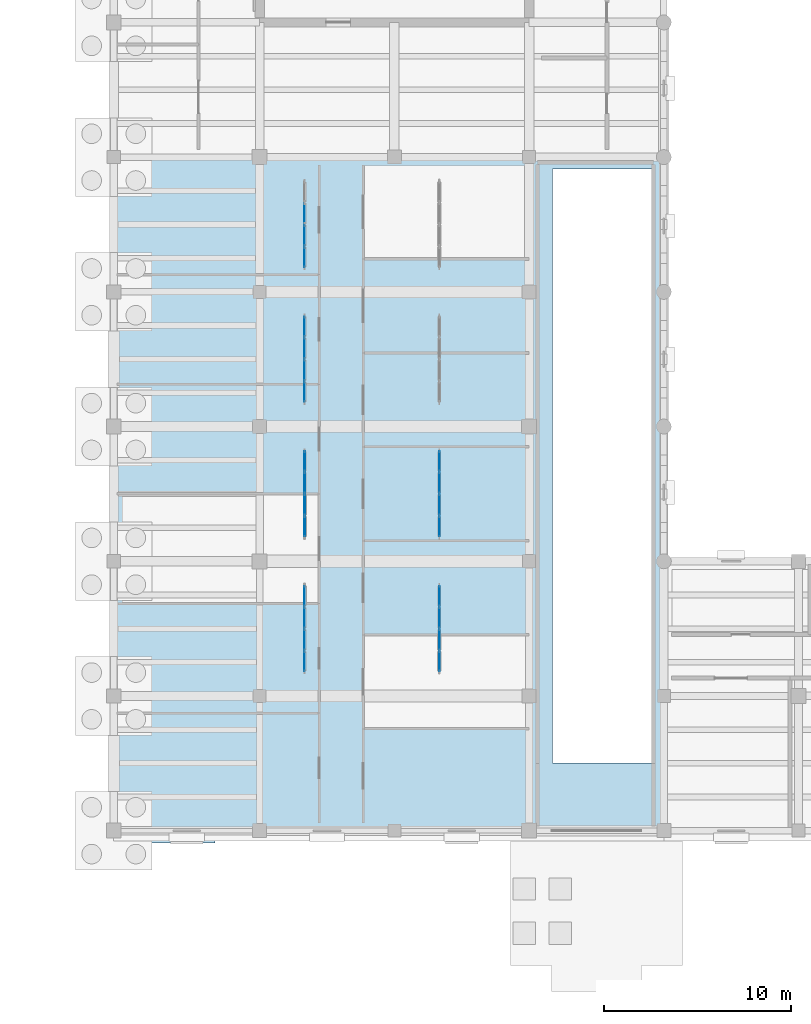
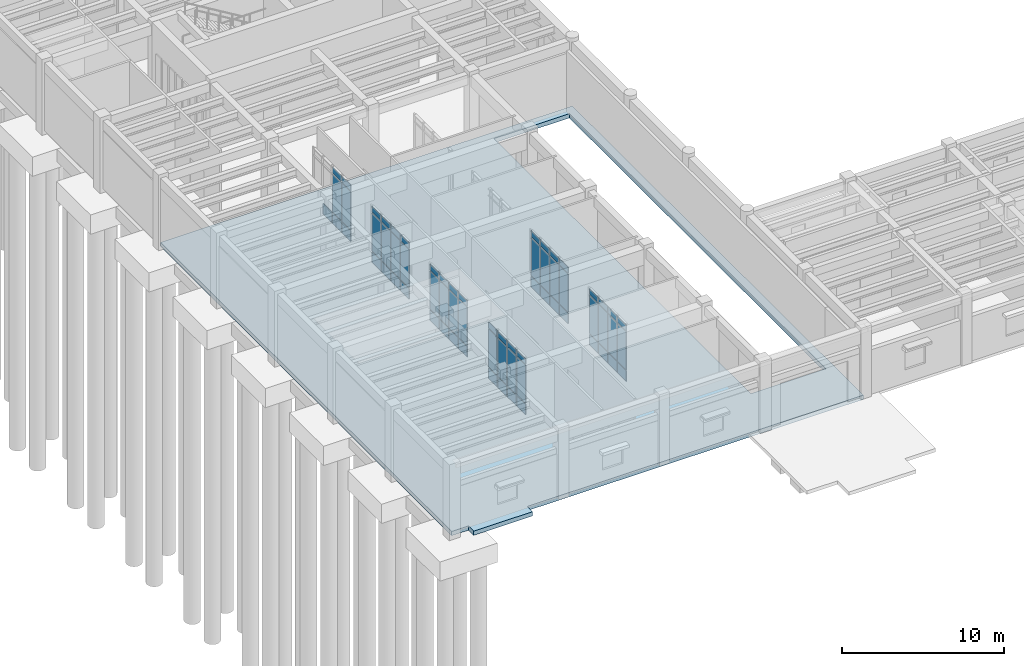
# One storey, part 50 of 100: 67 plates, 1 slab, 6 elements without a shape of their own.
"""IFC4 building model written with IfcOpenShell, lengths in metres."""

from ifc_helpers import new_model, si_unit, direction, frame, origin, origin_2d, place, context, subcontext, project, spatial, polyline, rectangle, outline, extrude, material, layer, layer_set, type_object, element, aggregate, save


model = new_model("IFC4")

# Units and contexts
model_context = context("Model", 3, precision=1e-05, world=origin(), true_north=direction((0.0, 1.0)))
body_context = subcontext(model_context, "Body", "Model", "MODEL_VIEW")
ifc_project = project(units=[si_unit("LENGTHUNIT", "METRE"), si_unit("AREAUNIT", "SQUARE_METRE"), si_unit("VOLUMEUNIT", "CUBIC_METRE"), si_unit("PLANEANGLEUNIT", "RADIAN"), si_unit("MASSUNIT", "GRAM", prefix="KILO")], contexts=[model_context])

# Site, building, storey
site_placement = place(None, origin())
site = spatial("IfcSite", under=ifc_project, at=site_placement, CompositionType="ELEMENT")
building_placement = place(site_placement, origin())
building = spatial("IfcBuilding", under=site, at=building_placement, Name="Mithqara Police Headquarters", CompositionType="ELEMENT")
storey_placement = place(building_placement, origin())
storey = spatial("IfcBuildingStorey", under=building, at=storey_placement, Name="L00", CompositionType="ELEMENT", Elevation=0.0)

# Curtain wall, plates
ifc_material_1 = material(Name="Bronze anodised aluminium 6063-T6", Category="aluminium")
curtain_wall_type = type_object("IfcCurtainWallType", Name="CURTAIN WALL 4700X4400", PredefinedType="USERDEFINED", material=ifc_material_1)
curtain_wall_1_placement = place(storey_placement, origin())
curtain_wall_1 = element("IfcCurtainWall", 1, at=curtain_wall_1_placement, inside=storey, type_object=curtain_wall_type, Name="L00 Unitised Glazing CW-14 (CW-INT-L00-X01-Y04-0)", ObjectType="UNITISED GLAZING", PredefinedType="USERDEFINED")
ifc_material_2 = material(Name="Spectrally selective double low-e glass", Category="glass")
ifc_layer_1 = layer(ifc_material_2, 0.028076171875, Name="Spectrally selective double low-e glass")
ifc_layer_set_1 = layer_set([ifc_layer_1], Name="Spectrally selective double low-e glass")
plate_type_1 = type_object("IfcPlateType", Name="CWPANEL GLASS28", PredefinedType="CURTAIN_PANEL", material=ifc_layer_set_1)
plate_1_placement = place(storey_placement, frame((10.199951171875, 30.05615234375, 0.074951171875), z_axis=(0.0, 0.0, 1.0), x_axis=(0.0, 1.0, 0.0)))
plate_1 = element("IfcPlate", 2, at=plate_1_placement, type_object=plate_type_1, Name="CW-14 panel 1.1", PredefinedType="CURTAIN_PANEL", context=body_context, shape_type="SweptSolid", body=[
    extrude(rectangle(XDim=1.0625, YDim=0.028076171875, at=origin_2d()), origin(), (0.0, 0.0, 1.0), 0.78759765625),
])
plate_2_placement = place(storey_placement, frame((10.199951171875, 30.05615234375, 0.9375), z_axis=(0.0, 0.0, 1.0), x_axis=(0.0, 1.0, 0.0)))
plate_2 = element("IfcPlate", 3, at=plate_2_placement, type_object=plate_type_1, Name="CW-14 panel 1.2", PredefinedType="CURTAIN_PANEL", context=body_context, shape_type="SweptSolid", body=[
    extrude(rectangle(XDim=1.0625, YDim=0.028076171875, at=origin_2d()), origin(), (0.0, 0.0, 1.0), 2.875),
])
plate_3_placement = place(storey_placement, frame((10.199951171875, 30.05615234375, 3.887451171875), z_axis=(0.0, 0.0, 1.0), x_axis=(0.0, 1.0, 0.0)))
plate_3 = element("IfcPlate", 4, at=plate_3_placement, type_object=plate_type_1, Name="CW-14 panel 1.3", PredefinedType="CURTAIN_PANEL", context=body_context, shape_type="SweptSolid", body=[
    extrude(rectangle(XDim=1.0625, YDim=0.028076171875, at=origin_2d()), origin(), (0.0, 0.0, 1.0), 0.4375),
])
plate_4_placement = place(storey_placement, frame((10.199951171875, 31.21240234375, 0.074951171875), z_axis=(0.0, 0.0, 1.0), x_axis=(0.0, 1.0, 0.0)))
plate_4 = element("IfcPlate", 5, at=plate_4_placement, type_object=plate_type_1, Name="CW-14 panel 2.1", PredefinedType="CURTAIN_PANEL", context=body_context, shape_type="SweptSolid", body=[
    extrude(rectangle(XDim=1.10009765625, YDim=0.028076171875, at=origin_2d()), origin(), (0.0, 0.0, 1.0), 0.78759765625),
])
plate_5_placement = place(storey_placement, frame((10.199951171875, 31.21240234375, 0.9375), z_axis=(0.0, 0.0, 1.0), x_axis=(0.0, 1.0, 0.0)))
plate_5 = element("IfcPlate", 6, at=plate_5_placement, type_object=plate_type_1, Name="CW-14 panel 2.2", PredefinedType="CURTAIN_PANEL", context=body_context, shape_type="SweptSolid", body=[
    extrude(rectangle(XDim=1.10009765625, YDim=0.028076171875, at=origin_2d()), origin(), (0.0, 0.0, 1.0), 2.875),
])
plate_6_placement = place(storey_placement, frame((10.199951171875, 31.21240234375, 3.887451171875), z_axis=(0.0, 0.0, 1.0), x_axis=(0.0, 1.0, 0.0)))
plate_6 = element("IfcPlate", 7, at=plate_6_placement, type_object=plate_type_1, Name="CW-14 panel 2.3", PredefinedType="CURTAIN_PANEL", context=body_context, shape_type="SweptSolid", body=[
    extrude(rectangle(XDim=1.10009765625, YDim=0.028076171875, at=origin_2d()), origin(), (0.0, 0.0, 1.0), 0.4375),
])
plate_7_placement = place(storey_placement, frame((10.199951171875, 32.387451171875, 0.074951171875), z_axis=(0.0, 0.0, 1.0), x_axis=(0.0, 1.0, 0.0)))
plate_7 = element("IfcPlate", 8, at=plate_7_placement, type_object=plate_type_1, Name="CW-14 panel 3.1", PredefinedType="CURTAIN_PANEL", context=body_context, shape_type="SweptSolid", body=[
    extrude(rectangle(XDim=1.10009765625, YDim=0.028076171875, at=origin_2d()), origin(), (0.0, 0.0, 1.0), 0.78759765625),
])
plate_8_placement = place(storey_placement, frame((10.199951171875, 32.387451171875, 0.9375), z_axis=(0.0, 0.0, 1.0), x_axis=(0.0, 1.0, 0.0)))
plate_8 = element("IfcPlate", 9, at=plate_8_placement, type_object=plate_type_1, Name="CW-14 panel 3.2", PredefinedType="CURTAIN_PANEL", context=body_context, shape_type="SweptSolid", body=[
    extrude(rectangle(XDim=1.10009765625, YDim=0.028076171875, at=origin_2d()), origin(), (0.0, 0.0, 1.0), 2.875),
])
plate_9_placement = place(storey_placement, frame((10.199951171875, 32.387451171875, 3.887451171875), z_axis=(0.0, 0.0, 1.0), x_axis=(0.0, 1.0, 0.0)))
plate_9 = element("IfcPlate", 10, at=plate_9_placement, type_object=plate_type_1, Name="CW-14 panel 3.3", PredefinedType="CURTAIN_PANEL", context=body_context, shape_type="SweptSolid", body=[
    extrude(rectangle(XDim=1.10009765625, YDim=0.028076171875, at=origin_2d()), origin(), (0.0, 0.0, 1.0), 0.4375),
])
plate_10_placement = place(storey_placement, frame((10.199951171875, 33.543701171875, 0.074951171875), z_axis=(0.0, 0.0, 1.0), x_axis=(0.0, 1.0, 0.0)))
plate_10 = element("IfcPlate", 11, at=plate_10_placement, type_object=plate_type_1, Name="CW-14 panel 4.1", PredefinedType="CURTAIN_PANEL", context=body_context, shape_type="SweptSolid", body=[
    extrude(rectangle(XDim=1.0625, YDim=0.028076171875, at=origin_2d()), origin(), (0.0, 0.0, 1.0), 0.78759765625),
])
plate_11_placement = place(storey_placement, frame((10.199951171875, 33.543701171875, 0.9375), z_axis=(0.0, 0.0, 1.0), x_axis=(0.0, 1.0, 0.0)))
plate_11 = element("IfcPlate", 12, at=plate_11_placement, type_object=plate_type_1, Name="CW-14 panel 4.2", PredefinedType="CURTAIN_PANEL", context=body_context, shape_type="SweptSolid", body=[
    extrude(rectangle(XDim=1.0625, YDim=0.028076171875, at=origin_2d()), origin(), (0.0, 0.0, 1.0), 2.875),
])
plate_12_placement = place(storey_placement, frame((10.199951171875, 33.543701171875, 3.887451171875), z_axis=(0.0, 0.0, 1.0), x_axis=(0.0, 1.0, 0.0)))
plate_12 = element("IfcPlate", 13, at=plate_12_placement, type_object=plate_type_1, Name="CW-14 panel 4.3", PredefinedType="CURTAIN_PANEL", context=body_context, shape_type="SweptSolid", body=[
    extrude(rectangle(XDim=1.0625, YDim=0.028076171875, at=origin_2d()), origin(), (0.0, 0.0, 1.0), 0.4375),
])
aggregate(curtain_wall_1, [plate_1, plate_2, plate_3, plate_4, plate_5, plate_6, plate_7, plate_8, plate_9, plate_10, plate_11, plate_12])

curtain_wall_2_placement = place(storey_placement, origin())
curtain_wall_2 = element("IfcCurtainWall", 14, at=curtain_wall_2_placement, inside=storey, type_object=curtain_wall_type, Name="L00 Unitised Glazing CW-14 (CW-INT-L00-X01-Y06-0)", ObjectType="UNITISED GLAZING", PredefinedType="USERDEFINED")
plate_13_placement = place(storey_placement, frame((10.199951171875, 44.456298828125, 0.074951171875), z_axis=(0.0, 0.0, 1.0), x_axis=(0.0, 1.0, 0.0)))
plate_13 = element("IfcPlate", 15, at=plate_13_placement, type_object=plate_type_1, Name="CW-14 panel 1.1", PredefinedType="CURTAIN_PANEL", context=body_context, shape_type="SweptSolid", body=[
    extrude(rectangle(XDim=1.0625, YDim=0.028076171875, at=origin_2d()), origin(), (0.0, 0.0, 1.0), 0.78759765625),
])
plate_14_placement = place(storey_placement, frame((10.199951171875, 44.456298828125, 0.9375), z_axis=(0.0, 0.0, 1.0), x_axis=(0.0, 1.0, 0.0)))
plate_14 = element("IfcPlate", 16, at=plate_14_placement, type_object=plate_type_1, Name="CW-14 panel 1.2", PredefinedType="CURTAIN_PANEL", context=body_context, shape_type="SweptSolid", body=[
    extrude(rectangle(XDim=1.0625, YDim=0.028076171875, at=origin_2d()), origin(), (0.0, 0.0, 1.0), 2.875),
])
plate_15_placement = place(storey_placement, frame((10.199951171875, 44.456298828125, 3.887451171875), z_axis=(0.0, 0.0, 1.0), x_axis=(0.0, 1.0, 0.0)))
plate_15 = element("IfcPlate", 17, at=plate_15_placement, type_object=plate_type_1, Name="CW-14 panel 1.3", PredefinedType="CURTAIN_PANEL", context=body_context, shape_type="SweptSolid", body=[
    extrude(rectangle(XDim=1.0625, YDim=0.028076171875, at=origin_2d()), origin(), (0.0, 0.0, 1.0), 0.4375),
])
plate_16_placement = place(storey_placement, frame((10.199951171875, 45.612548828125, 0.074951171875), z_axis=(0.0, 0.0, 1.0), x_axis=(0.0, 1.0, 0.0)))
plate_16 = element("IfcPlate", 18, at=plate_16_placement, type_object=plate_type_1, Name="CW-14 panel 2.1", PredefinedType="CURTAIN_PANEL", context=body_context, shape_type="SweptSolid", body=[
    extrude(rectangle(XDim=1.10009765625, YDim=0.028076171875, at=origin_2d()), origin(), (0.0, 0.0, 1.0), 0.78759765625),
])
plate_17_placement = place(storey_placement, frame((10.199951171875, 45.612548828125, 0.9375), z_axis=(0.0, 0.0, 1.0), x_axis=(0.0, 1.0, 0.0)))
plate_17 = element("IfcPlate", 19, at=plate_17_placement, type_object=plate_type_1, Name="CW-14 panel 2.2", PredefinedType="CURTAIN_PANEL", context=body_context, shape_type="SweptSolid", body=[
    extrude(rectangle(XDim=1.10009765625, YDim=0.028076171875, at=origin_2d()), origin(), (0.0, 0.0, 1.0), 2.875),
])
plate_18_placement = place(storey_placement, frame((10.199951171875, 45.612548828125, 3.887451171875), z_axis=(0.0, 0.0, 1.0), x_axis=(0.0, 1.0, 0.0)))
plate_18 = element("IfcPlate", 20, at=plate_18_placement, type_object=plate_type_1, Name="CW-14 panel 2.3", PredefinedType="CURTAIN_PANEL", context=body_context, shape_type="SweptSolid", body=[
    extrude(rectangle(XDim=1.10009765625, YDim=0.028076171875, at=origin_2d()), origin(), (0.0, 0.0, 1.0), 0.4375),
])
plate_19_placement = place(storey_placement, frame((10.199951171875, 46.78759765625, 0.074951171875), z_axis=(0.0, 0.0, 1.0), x_axis=(0.0, 1.0, 0.0)))
plate_19 = element("IfcPlate", 21, at=plate_19_placement, type_object=plate_type_1, Name="CW-14 panel 3.1", PredefinedType="CURTAIN_PANEL", context=body_context, shape_type="SweptSolid", body=[
    extrude(rectangle(XDim=1.10009765625, YDim=0.028076171875, at=origin_2d()), origin(), (0.0, 0.0, 1.0), 0.78759765625),
])
plate_20_placement = place(storey_placement, frame((10.199951171875, 46.78759765625, 0.9375), z_axis=(0.0, 0.0, 1.0), x_axis=(0.0, 1.0, 0.0)))
plate_20 = element("IfcPlate", 22, at=plate_20_placement, type_object=plate_type_1, Name="CW-14 panel 3.2", PredefinedType="CURTAIN_PANEL", context=body_context, shape_type="SweptSolid", body=[
    extrude(rectangle(XDim=1.10009765625, YDim=0.028076171875, at=origin_2d()), origin(), (0.0, 0.0, 1.0), 2.875),
])
plate_21_placement = place(storey_placement, frame((10.199951171875, 46.78759765625, 3.887451171875), z_axis=(0.0, 0.0, 1.0), x_axis=(0.0, 1.0, 0.0)))
plate_21 = element("IfcPlate", 23, at=plate_21_placement, type_object=plate_type_1, Name="CW-14 panel 3.3", PredefinedType="CURTAIN_PANEL", context=body_context, shape_type="SweptSolid", body=[
    extrude(rectangle(XDim=1.10009765625, YDim=0.028076171875, at=origin_2d()), origin(), (0.0, 0.0, 1.0), 0.4375),
])
plate_22_placement = place(storey_placement, frame((10.199951171875, 47.94384765625, 0.074951171875), z_axis=(0.0, 0.0, 1.0), x_axis=(0.0, 1.0, 0.0)))
plate_22 = element("IfcPlate", 24, at=plate_22_placement, type_object=plate_type_1, Name="CW-14 panel 4.1", PredefinedType="CURTAIN_PANEL", context=body_context, shape_type="SweptSolid", body=[
    extrude(rectangle(XDim=1.0625, YDim=0.028076171875, at=origin_2d()), origin(), (0.0, 0.0, 1.0), 0.78759765625),
])
plate_23_placement = place(storey_placement, frame((10.199951171875, 47.94384765625, 0.9375), z_axis=(0.0, 0.0, 1.0), x_axis=(0.0, 1.0, 0.0)))
plate_23 = element("IfcPlate", 25, at=plate_23_placement, type_object=plate_type_1, Name="CW-14 panel 4.2", PredefinedType="CURTAIN_PANEL", context=body_context, shape_type="SweptSolid", body=[
    extrude(rectangle(XDim=1.0625, YDim=0.028076171875, at=origin_2d()), origin(), (0.0, 0.0, 1.0), 2.875),
])
plate_24_placement = place(storey_placement, frame((10.199951171875, 47.94384765625, 3.887451171875), z_axis=(0.0, 0.0, 1.0), x_axis=(0.0, 1.0, 0.0)))
plate_24 = element("IfcPlate", 26, at=plate_24_placement, type_object=plate_type_1, Name="CW-14 panel 4.3", PredefinedType="CURTAIN_PANEL", context=body_context, shape_type="SweptSolid", body=[
    extrude(rectangle(XDim=1.0625, YDim=0.028076171875, at=origin_2d()), origin(), (0.0, 0.0, 1.0), 0.4375),
])
aggregate(curtain_wall_2, [plate_13, plate_14, plate_15, plate_16, plate_17, plate_18, plate_19, plate_20, plate_21, plate_22, plate_23, plate_24])

curtain_wall_3_placement = place(storey_placement, origin())
curtain_wall_3 = element("IfcCurtainWall", 27, at=curtain_wall_3_placement, inside=storey, type_object=curtain_wall_type, Name="L00 Unitised Glazing CW-14 (CW-INT-L00-X01-Y07-0)", ObjectType="UNITISED GLAZING", PredefinedType="USERDEFINED")
plate_25_placement = place(storey_placement, frame((10.199951171875, 51.65625, 0.074951171875), z_axis=(0.0, 0.0, 1.0), x_axis=(0.0, 1.0, 0.0)))
plate_25 = element("IfcPlate", 28, at=plate_25_placement, type_object=plate_type_1, Name="CW-14 panel 1.1", PredefinedType="CURTAIN_PANEL", context=body_context, shape_type="SweptSolid", body=[
    extrude(rectangle(XDim=1.0625, YDim=0.028076171875, at=origin_2d()), origin(), (0.0, 0.0, 1.0), 0.78759765625),
])
plate_26_placement = place(storey_placement, frame((10.199951171875, 51.65625, 0.9375), z_axis=(0.0, 0.0, 1.0), x_axis=(0.0, 1.0, 0.0)))
plate_26 = element("IfcPlate", 29, at=plate_26_placement, type_object=plate_type_1, Name="CW-14 panel 1.2", PredefinedType="CURTAIN_PANEL", context=body_context, shape_type="SweptSolid", body=[
    extrude(rectangle(XDim=1.0625, YDim=0.028076171875, at=origin_2d()), origin(), (0.0, 0.0, 1.0), 2.875),
])
plate_27_placement = place(storey_placement, frame((10.199951171875, 51.65625, 3.887451171875), z_axis=(0.0, 0.0, 1.0), x_axis=(0.0, 1.0, 0.0)))
plate_27 = element("IfcPlate", 30, at=plate_27_placement, type_object=plate_type_1, Name="CW-14 panel 1.3", PredefinedType="CURTAIN_PANEL", context=body_context, shape_type="SweptSolid", body=[
    extrude(rectangle(XDim=1.0625, YDim=0.028076171875, at=origin_2d()), origin(), (0.0, 0.0, 1.0), 0.4375),
])
plate_28_placement = place(storey_placement, frame((10.199951171875, 52.8125, 0.074951171875), z_axis=(0.0, 0.0, 1.0), x_axis=(0.0, 1.0, 0.0)))
plate_28 = element("IfcPlate", 31, at=plate_28_placement, type_object=plate_type_1, Name="CW-14 panel 2.1", PredefinedType="CURTAIN_PANEL", context=body_context, shape_type="SweptSolid", body=[
    extrude(rectangle(XDim=1.10009765625, YDim=0.028076171875, at=origin_2d()), origin(), (0.0, 0.0, 1.0), 0.78759765625),
])
plate_29_placement = place(storey_placement, frame((10.199951171875, 52.8125, 0.9375), z_axis=(0.0, 0.0, 1.0), x_axis=(0.0, 1.0, 0.0)))
plate_29 = element("IfcPlate", 32, at=plate_29_placement, type_object=plate_type_1, Name="CW-14 panel 2.2", PredefinedType="CURTAIN_PANEL", context=body_context, shape_type="SweptSolid", body=[
    extrude(rectangle(XDim=1.10009765625, YDim=0.028076171875, at=origin_2d()), origin(), (0.0, 0.0, 1.0), 2.875),
])
plate_30_placement = place(storey_placement, frame((10.199951171875, 52.8125, 3.887451171875), z_axis=(0.0, 0.0, 1.0), x_axis=(0.0, 1.0, 0.0)))
plate_30 = element("IfcPlate", 33, at=plate_30_placement, type_object=plate_type_1, Name="CW-14 panel 2.3", PredefinedType="CURTAIN_PANEL", context=body_context, shape_type="SweptSolid", body=[
    extrude(rectangle(XDim=1.10009765625, YDim=0.028076171875, at=origin_2d()), origin(), (0.0, 0.0, 1.0), 0.4375),
])
plate_31_placement = place(storey_placement, frame((10.199951171875, 53.987548828125, 0.074951171875), z_axis=(0.0, 0.0, 1.0), x_axis=(0.0, 1.0, 0.0)))
plate_31 = element("IfcPlate", 34, at=plate_31_placement, type_object=plate_type_1, Name="CW-14 panel 3.1", PredefinedType="CURTAIN_PANEL", context=body_context, shape_type="SweptSolid", body=[
    extrude(rectangle(XDim=1.10009765625, YDim=0.028076171875, at=origin_2d()), origin(), (0.0, 0.0, 1.0), 0.78759765625),
])
aggregate(curtain_wall_3, [plate_25, plate_26, plate_27, plate_28, plate_29, plate_30, plate_31])

curtain_wall_4_placement = place(storey_placement, origin())
curtain_wall_4 = element("IfcCurtainWall", 35, at=curtain_wall_4_placement, inside=storey, type_object=curtain_wall_type, Name="L00 Unitised Glazing CW-14 (CW-INT-L00-X02-Y04-0)", ObjectType="UNITISED GLAZING", PredefinedType="USERDEFINED")
plate_32_placement = place(storey_placement, frame((17.39990234375, 30.05615234375, 0.074951171875), z_axis=(0.0, 0.0, 1.0), x_axis=(0.0, 1.0, 0.0)))
plate_32 = element("IfcPlate", 36, at=plate_32_placement, type_object=plate_type_1, Name="CW-14 panel 1.1", PredefinedType="CURTAIN_PANEL", context=body_context, shape_type="SweptSolid", body=[
    extrude(rectangle(XDim=1.0625, YDim=0.028076171875, at=origin_2d()), origin(), (0.0, 0.0, 1.0), 0.78759765625),
])
plate_33_placement = place(storey_placement, frame((17.39990234375, 30.05615234375, 0.9375), z_axis=(0.0, 0.0, 1.0), x_axis=(0.0, 1.0, 0.0)))
plate_33 = element("IfcPlate", 37, at=plate_33_placement, type_object=plate_type_1, Name="CW-14 panel 1.2", PredefinedType="CURTAIN_PANEL", context=body_context, shape_type="SweptSolid", body=[
    extrude(rectangle(XDim=1.0625, YDim=0.028076171875, at=origin_2d()), origin(), (0.0, 0.0, 1.0), 2.875),
])
plate_34_placement = place(storey_placement, frame((17.39990234375, 30.05615234375, 3.887451171875), z_axis=(0.0, 0.0, 1.0), x_axis=(0.0, 1.0, 0.0)))
plate_34 = element("IfcPlate", 38, at=plate_34_placement, type_object=plate_type_1, Name="CW-14 panel 1.3", PredefinedType="CURTAIN_PANEL", context=body_context, shape_type="SweptSolid", body=[
    extrude(rectangle(XDim=1.0625, YDim=0.028076171875, at=origin_2d()), origin(), (0.0, 0.0, 1.0), 0.4375),
])
plate_35_placement = place(storey_placement, frame((17.39990234375, 31.21240234375, 0.074951171875), z_axis=(0.0, 0.0, 1.0), x_axis=(0.0, 1.0, 0.0)))
plate_35 = element("IfcPlate", 39, at=plate_35_placement, type_object=plate_type_1, Name="CW-14 panel 2.1", PredefinedType="CURTAIN_PANEL", context=body_context, shape_type="SweptSolid", body=[
    extrude(rectangle(XDim=1.10009765625, YDim=0.028076171875, at=origin_2d()), origin(), (0.0, 0.0, 1.0), 0.78759765625),
])
plate_36_placement = place(storey_placement, frame((17.39990234375, 31.21240234375, 0.9375), z_axis=(0.0, 0.0, 1.0), x_axis=(0.0, 1.0, 0.0)))
plate_36 = element("IfcPlate", 40, at=plate_36_placement, type_object=plate_type_1, Name="CW-14 panel 2.2", PredefinedType="CURTAIN_PANEL", context=body_context, shape_type="SweptSolid", body=[
    extrude(rectangle(XDim=1.10009765625, YDim=0.028076171875, at=origin_2d()), origin(), (0.0, 0.0, 1.0), 2.875),
])
plate_37_placement = place(storey_placement, frame((17.39990234375, 31.21240234375, 3.887451171875), z_axis=(0.0, 0.0, 1.0), x_axis=(0.0, 1.0, 0.0)))
plate_37 = element("IfcPlate", 41, at=plate_37_placement, type_object=plate_type_1, Name="CW-14 panel 2.3", PredefinedType="CURTAIN_PANEL", context=body_context, shape_type="SweptSolid", body=[
    extrude(rectangle(XDim=1.10009765625, YDim=0.028076171875, at=origin_2d()), origin(), (0.0, 0.0, 1.0), 0.4375),
])
plate_38_placement = place(storey_placement, frame((17.39990234375, 32.387451171875, 0.074951171875), z_axis=(0.0, 0.0, 1.0), x_axis=(0.0, 1.0, 0.0)))
plate_38 = element("IfcPlate", 42, at=plate_38_placement, type_object=plate_type_1, Name="CW-14 panel 3.1", PredefinedType="CURTAIN_PANEL", context=body_context, shape_type="SweptSolid", body=[
    extrude(rectangle(XDim=1.10009765625, YDim=0.028076171875, at=origin_2d()), origin(), (0.0, 0.0, 1.0), 0.78759765625),
])
plate_39_placement = place(storey_placement, frame((17.39990234375, 32.387451171875, 0.9375), z_axis=(0.0, 0.0, 1.0), x_axis=(0.0, 1.0, 0.0)))
plate_39 = element("IfcPlate", 43, at=plate_39_placement, type_object=plate_type_1, Name="CW-14 panel 3.2", PredefinedType="CURTAIN_PANEL", context=body_context, shape_type="SweptSolid", body=[
    extrude(rectangle(XDim=1.10009765625, YDim=0.028076171875, at=origin_2d()), origin(), (0.0, 0.0, 1.0), 2.875),
])
plate_40_placement = place(storey_placement, frame((17.39990234375, 32.387451171875, 3.887451171875), z_axis=(0.0, 0.0, 1.0), x_axis=(0.0, 1.0, 0.0)))
plate_40 = element("IfcPlate", 44, at=plate_40_placement, type_object=plate_type_1, Name="CW-14 panel 3.3", PredefinedType="CURTAIN_PANEL", context=body_context, shape_type="SweptSolid", body=[
    extrude(rectangle(XDim=1.10009765625, YDim=0.028076171875, at=origin_2d()), origin(), (0.0, 0.0, 1.0), 0.4375),
])
plate_41_placement = place(storey_placement, frame((17.39990234375, 33.543701171875, 0.074951171875), z_axis=(0.0, 0.0, 1.0), x_axis=(0.0, 1.0, 0.0)))
plate_41 = element("IfcPlate", 45, at=plate_41_placement, type_object=plate_type_1, Name="CW-14 panel 4.1", PredefinedType="CURTAIN_PANEL", context=body_context, shape_type="SweptSolid", body=[
    extrude(rectangle(XDim=1.0625, YDim=0.028076171875, at=origin_2d()), origin(), (0.0, 0.0, 1.0), 0.78759765625),
])
plate_42_placement = place(storey_placement, frame((17.39990234375, 33.543701171875, 0.9375), z_axis=(0.0, 0.0, 1.0), x_axis=(0.0, 1.0, 0.0)))
plate_42 = element("IfcPlate", 46, at=plate_42_placement, type_object=plate_type_1, Name="CW-14 panel 4.2", PredefinedType="CURTAIN_PANEL", context=body_context, shape_type="SweptSolid", body=[
    extrude(rectangle(XDim=1.0625, YDim=0.028076171875, at=origin_2d()), origin(), (0.0, 0.0, 1.0), 2.875),
])
plate_43_placement = place(storey_placement, frame((17.39990234375, 33.543701171875, 3.887451171875), z_axis=(0.0, 0.0, 1.0), x_axis=(0.0, 1.0, 0.0)))
plate_43 = element("IfcPlate", 47, at=plate_43_placement, type_object=plate_type_1, Name="CW-14 panel 4.3", PredefinedType="CURTAIN_PANEL", context=body_context, shape_type="SweptSolid", body=[
    extrude(rectangle(XDim=1.0625, YDim=0.028076171875, at=origin_2d()), origin(), (0.0, 0.0, 1.0), 0.4375),
])
aggregate(curtain_wall_4, [plate_32, plate_33, plate_34, plate_35, plate_36, plate_37, plate_38, plate_39, plate_40, plate_41, plate_42, plate_43])

curtain_wall_5_placement = place(storey_placement, origin())
curtain_wall_5 = element("IfcCurtainWall", 48, at=curtain_wall_5_placement, inside=storey, type_object=curtain_wall_type, Name="L00 Unitised Glazing CW-14 (CW-INT-L00-X02-Y05-0)", ObjectType="UNITISED GLAZING", PredefinedType="USERDEFINED")
plate_44_placement = place(storey_placement, frame((17.39990234375, 37.25634765625, 0.074951171875), z_axis=(0.0, 0.0, 1.0), x_axis=(0.0, 1.0, 0.0)))
plate_44 = element("IfcPlate", 49, at=plate_44_placement, type_object=plate_type_1, Name="CW-14 panel 1.1", PredefinedType="CURTAIN_PANEL", context=body_context, shape_type="SweptSolid", body=[
    extrude(rectangle(XDim=1.0625, YDim=0.028076171875, at=origin_2d()), origin(), (0.0, 0.0, 1.0), 0.78759765625),
])
plate_45_placement = place(storey_placement, frame((17.39990234375, 37.25634765625, 0.9375), z_axis=(0.0, 0.0, 1.0), x_axis=(0.0, 1.0, 0.0)))
plate_45 = element("IfcPlate", 50, at=plate_45_placement, type_object=plate_type_1, Name="CW-14 panel 1.2", PredefinedType="CURTAIN_PANEL", context=body_context, shape_type="SweptSolid", body=[
    extrude(rectangle(XDim=1.0625, YDim=0.028076171875, at=origin_2d()), origin(), (0.0, 0.0, 1.0), 2.875),
])
plate_46_placement = place(storey_placement, frame((17.39990234375, 37.25634765625, 3.887451171875), z_axis=(0.0, 0.0, 1.0), x_axis=(0.0, 1.0, 0.0)))
plate_46 = element("IfcPlate", 51, at=plate_46_placement, type_object=plate_type_1, Name="CW-14 panel 1.3", PredefinedType="CURTAIN_PANEL", context=body_context, shape_type="SweptSolid", body=[
    extrude(rectangle(XDim=1.0625, YDim=0.028076171875, at=origin_2d()), origin(), (0.0, 0.0, 1.0), 0.4375),
])
plate_47_placement = place(storey_placement, frame((17.39990234375, 38.41259765625, 0.074951171875), z_axis=(0.0, 0.0, 1.0), x_axis=(0.0, 1.0, 0.0)))
plate_47 = element("IfcPlate", 52, at=plate_47_placement, type_object=plate_type_1, Name="CW-14 panel 2.1", PredefinedType="CURTAIN_PANEL", context=body_context, shape_type="SweptSolid", body=[
    extrude(rectangle(XDim=1.10009765625, YDim=0.028076171875, at=origin_2d()), origin(), (0.0, 0.0, 1.0), 0.78759765625),
])
plate_48_placement = place(storey_placement, frame((17.39990234375, 38.41259765625, 0.9375), z_axis=(0.0, 0.0, 1.0), x_axis=(0.0, 1.0, 0.0)))
plate_48 = element("IfcPlate", 53, at=plate_48_placement, type_object=plate_type_1, Name="CW-14 panel 2.2", PredefinedType="CURTAIN_PANEL", context=body_context, shape_type="SweptSolid", body=[
    extrude(rectangle(XDim=1.10009765625, YDim=0.028076171875, at=origin_2d()), origin(), (0.0, 0.0, 1.0), 2.875),
])
plate_49_placement = place(storey_placement, frame((17.39990234375, 38.41259765625, 3.887451171875), z_axis=(0.0, 0.0, 1.0), x_axis=(0.0, 1.0, 0.0)))
plate_49 = element("IfcPlate", 54, at=plate_49_placement, type_object=plate_type_1, Name="CW-14 panel 2.3", PredefinedType="CURTAIN_PANEL", context=body_context, shape_type="SweptSolid", body=[
    extrude(rectangle(XDim=1.10009765625, YDim=0.028076171875, at=origin_2d()), origin(), (0.0, 0.0, 1.0), 0.4375),
])
plate_50_placement = place(storey_placement, frame((17.39990234375, 39.58740234375, 0.074951171875), z_axis=(0.0, 0.0, 1.0), x_axis=(0.0, 1.0, 0.0)))
plate_50 = element("IfcPlate", 55, at=plate_50_placement, type_object=plate_type_1, Name="CW-14 panel 3.1", PredefinedType="CURTAIN_PANEL", context=body_context, shape_type="SweptSolid", body=[
    extrude(rectangle(XDim=1.10009765625, YDim=0.028076171875, at=origin_2d()), origin(), (0.0, 0.0, 1.0), 0.78759765625),
])
plate_51_placement = place(storey_placement, frame((17.39990234375, 39.58740234375, 0.9375), z_axis=(0.0, 0.0, 1.0), x_axis=(0.0, 1.0, 0.0)))
plate_51 = element("IfcPlate", 56, at=plate_51_placement, type_object=plate_type_1, Name="CW-14 panel 3.2", PredefinedType="CURTAIN_PANEL", context=body_context, shape_type="SweptSolid", body=[
    extrude(rectangle(XDim=1.10009765625, YDim=0.028076171875, at=origin_2d()), origin(), (0.0, 0.0, 1.0), 2.875),
])
plate_52_placement = place(storey_placement, frame((17.39990234375, 39.58740234375, 3.887451171875), z_axis=(0.0, 0.0, 1.0), x_axis=(0.0, 1.0, 0.0)))
plate_52 = element("IfcPlate", 57, at=plate_52_placement, type_object=plate_type_1, Name="CW-14 panel 3.3", PredefinedType="CURTAIN_PANEL", context=body_context, shape_type="SweptSolid", body=[
    extrude(rectangle(XDim=1.10009765625, YDim=0.028076171875, at=origin_2d()), origin(), (0.0, 0.0, 1.0), 0.4375),
])
plate_53_placement = place(storey_placement, frame((17.39990234375, 40.74365234375, 0.074951171875), z_axis=(0.0, 0.0, 1.0), x_axis=(0.0, 1.0, 0.0)))
plate_53 = element("IfcPlate", 58, at=plate_53_placement, type_object=plate_type_1, Name="CW-14 panel 4.1", PredefinedType="CURTAIN_PANEL", context=body_context, shape_type="SweptSolid", body=[
    extrude(rectangle(XDim=1.0625, YDim=0.028076171875, at=origin_2d()), origin(), (0.0, 0.0, 1.0), 0.78759765625),
])
plate_54_placement = place(storey_placement, frame((17.39990234375, 40.74365234375, 0.9375), z_axis=(0.0, 0.0, 1.0), x_axis=(0.0, 1.0, 0.0)))
plate_54 = element("IfcPlate", 59, at=plate_54_placement, type_object=plate_type_1, Name="CW-14 panel 4.2", PredefinedType="CURTAIN_PANEL", context=body_context, shape_type="SweptSolid", body=[
    extrude(rectangle(XDim=1.0625, YDim=0.028076171875, at=origin_2d()), origin(), (0.0, 0.0, 1.0), 2.875),
])
plate_55_placement = place(storey_placement, frame((17.39990234375, 40.74365234375, 3.887451171875), z_axis=(0.0, 0.0, 1.0), x_axis=(0.0, 1.0, 0.0)))
plate_55 = element("IfcPlate", 60, at=plate_55_placement, type_object=plate_type_1, Name="CW-14 panel 4.3", PredefinedType="CURTAIN_PANEL", context=body_context, shape_type="SweptSolid", body=[
    extrude(rectangle(XDim=1.0625, YDim=0.028076171875, at=origin_2d()), origin(), (0.0, 0.0, 1.0), 0.4375),
])
aggregate(curtain_wall_5, [plate_44, plate_45, plate_46, plate_47, plate_48, plate_49, plate_50, plate_51, plate_52, plate_53, plate_54, plate_55])

curtain_wall_6_placement = place(storey_placement, origin())
curtain_wall_6 = element("IfcCurtainWall", 61, at=curtain_wall_6_placement, inside=storey, type_object=curtain_wall_type, Name="L00 Unitised Glazing CW-14 (CW-INT-L00-X01-Y05-0)", ObjectType="UNITISED GLAZING", PredefinedType="USERDEFINED")
ifc_material_3 = material(Name="Insulated bronze aluminium spandrel panel", Category="aluminium")
ifc_layer_2 = layer(ifc_material_3, 0.048095703125, Name="Insulated bronze aluminium spandrel panel")
ifc_layer_set_2 = layer_set([ifc_layer_2], Name="Insulated bronze aluminium spandrel panel")
plate_type_2 = type_object("IfcPlateType", Name="CWPANEL SPANDREL48", PredefinedType="CURTAIN_PANEL", material=ifc_layer_set_2)
plate_56_placement = place(storey_placement, frame((10.199951171875, 37.25634765625, 0.074951171875), z_axis=(0.0, 0.0, 1.0), x_axis=(0.0, 1.0, 0.0)))
plate_56 = element("IfcPlate", 62, at=plate_56_placement, type_object=plate_type_2, Name="CW-14 panel 1.1", PredefinedType="CURTAIN_PANEL", context=body_context, shape_type="SweptSolid", body=[
    extrude(rectangle(XDim=1.0625, YDim=0.048095703125, at=origin_2d()), origin(), (0.0, 0.0, 1.0), 0.78759765625),
])
plate_57_placement = place(storey_placement, frame((10.199951171875, 37.25634765625, 0.9375), z_axis=(0.0, 0.0, 1.0), x_axis=(0.0, 1.0, 0.0)))
plate_57 = element("IfcPlate", 63, at=plate_57_placement, type_object=plate_type_2, Name="CW-14 panel 1.2", PredefinedType="CURTAIN_PANEL", context=body_context, shape_type="SweptSolid", body=[
    extrude(rectangle(XDim=1.0625, YDim=0.048095703125, at=origin_2d()), origin(), (0.0, 0.0, 1.0), 2.875),
])
plate_58_placement = place(storey_placement, frame((10.199951171875, 37.25634765625, 3.887451171875), z_axis=(0.0, 0.0, 1.0), x_axis=(0.0, 1.0, 0.0)))
plate_58 = element("IfcPlate", 64, at=plate_58_placement, type_object=plate_type_2, Name="CW-14 panel 1.3", PredefinedType="CURTAIN_PANEL", context=body_context, shape_type="SweptSolid", body=[
    extrude(rectangle(XDim=1.0625, YDim=0.048095703125, at=origin_2d()), origin(), (0.0, 0.0, 1.0), 0.4375),
])
plate_59_placement = place(storey_placement, frame((10.199951171875, 38.41259765625, 0.074951171875), z_axis=(0.0, 0.0, 1.0), x_axis=(0.0, 1.0, 0.0)))
plate_59 = element("IfcPlate", 65, at=plate_59_placement, type_object=plate_type_2, Name="CW-14 panel 2.1", PredefinedType="CURTAIN_PANEL", context=body_context, shape_type="SweptSolid", body=[
    extrude(rectangle(XDim=1.10009765625, YDim=0.048095703125, at=origin_2d()), origin(), (0.0, 0.0, 1.0), 0.78759765625),
])
plate_60_placement = place(storey_placement, frame((10.199951171875, 38.41259765625, 0.9375), z_axis=(0.0, 0.0, 1.0), x_axis=(0.0, 1.0, 0.0)))
plate_60 = element("IfcPlate", 66, at=plate_60_placement, type_object=plate_type_2, Name="CW-14 panel 2.2", PredefinedType="CURTAIN_PANEL", context=body_context, shape_type="SweptSolid", body=[
    extrude(rectangle(XDim=1.10009765625, YDim=0.048095703125, at=origin_2d()), origin(), (0.0, 0.0, 1.0), 2.875),
])
plate_61_placement = place(storey_placement, frame((10.199951171875, 38.41259765625, 3.887451171875), z_axis=(0.0, 0.0, 1.0), x_axis=(0.0, 1.0, 0.0)))
plate_61 = element("IfcPlate", 67, at=plate_61_placement, type_object=plate_type_2, Name="CW-14 panel 2.3", PredefinedType="CURTAIN_PANEL", context=body_context, shape_type="SweptSolid", body=[
    extrude(rectangle(XDim=1.10009765625, YDim=0.048095703125, at=origin_2d()), origin(), (0.0, 0.0, 1.0), 0.4375),
])
plate_62_placement = place(storey_placement, frame((10.199951171875, 39.58740234375, 0.074951171875), z_axis=(0.0, 0.0, 1.0), x_axis=(0.0, 1.0, 0.0)))
plate_62 = element("IfcPlate", 68, at=plate_62_placement, type_object=plate_type_2, Name="CW-14 panel 3.1", PredefinedType="CURTAIN_PANEL", context=body_context, shape_type="SweptSolid", body=[
    extrude(rectangle(XDim=1.10009765625, YDim=0.048095703125, at=origin_2d()), origin(), (0.0, 0.0, 1.0), 0.78759765625),
])
plate_63_placement = place(storey_placement, frame((10.199951171875, 39.58740234375, 0.9375), z_axis=(0.0, 0.0, 1.0), x_axis=(0.0, 1.0, 0.0)))
plate_63 = element("IfcPlate", 69, at=plate_63_placement, type_object=plate_type_2, Name="CW-14 panel 3.2", PredefinedType="CURTAIN_PANEL", context=body_context, shape_type="SweptSolid", body=[
    extrude(rectangle(XDim=1.10009765625, YDim=0.048095703125, at=origin_2d()), origin(), (0.0, 0.0, 1.0), 2.875),
])
plate_64_placement = place(storey_placement, frame((10.199951171875, 39.58740234375, 3.887451171875), z_axis=(0.0, 0.0, 1.0), x_axis=(0.0, 1.0, 0.0)))
plate_64 = element("IfcPlate", 70, at=plate_64_placement, type_object=plate_type_2, Name="CW-14 panel 3.3", PredefinedType="CURTAIN_PANEL", context=body_context, shape_type="SweptSolid", body=[
    extrude(rectangle(XDim=1.10009765625, YDim=0.048095703125, at=origin_2d()), origin(), (0.0, 0.0, 1.0), 0.4375),
])
plate_65_placement = place(storey_placement, frame((10.199951171875, 40.74365234375, 0.074951171875), z_axis=(0.0, 0.0, 1.0), x_axis=(0.0, 1.0, 0.0)))
plate_65 = element("IfcPlate", 71, at=plate_65_placement, type_object=plate_type_2, Name="CW-14 panel 4.1", PredefinedType="CURTAIN_PANEL", context=body_context, shape_type="SweptSolid", body=[
    extrude(rectangle(XDim=1.0625, YDim=0.048095703125, at=origin_2d()), origin(), (0.0, 0.0, 1.0), 0.78759765625),
])
plate_66_placement = place(storey_placement, frame((10.199951171875, 40.74365234375, 0.9375), z_axis=(0.0, 0.0, 1.0), x_axis=(0.0, 1.0, 0.0)))
plate_66 = element("IfcPlate", 72, at=plate_66_placement, type_object=plate_type_2, Name="CW-14 panel 4.2", PredefinedType="CURTAIN_PANEL", context=body_context, shape_type="SweptSolid", body=[
    extrude(rectangle(XDim=1.0625, YDim=0.048095703125, at=origin_2d()), origin(), (0.0, 0.0, 1.0), 2.875),
])
plate_67_placement = place(storey_placement, frame((10.199951171875, 40.74365234375, 3.887451171875), z_axis=(0.0, 0.0, 1.0), x_axis=(0.0, 1.0, 0.0)))
plate_67 = element("IfcPlate", 73, at=plate_67_placement, type_object=plate_type_2, Name="CW-14 panel 4.3", PredefinedType="CURTAIN_PANEL", context=body_context, shape_type="SweptSolid", body=[
    extrude(rectangle(XDim=1.0625, YDim=0.048095703125, at=origin_2d()), origin(), (0.0, 0.0, 1.0), 0.4375),
])
aggregate(curtain_wall_6, [plate_56, plate_57, plate_58, plate_59, plate_60, plate_61, plate_62, plate_63, plate_64, plate_65, plate_66, plate_67])

# Slab
ifc_material_4 = material(Name="Concrete C40/50", Category="concrete")
ifc_layer_3 = layer(ifc_material_4, 0.320068359375, Name="Concrete C40/50")
ifc_layer_set_3 = layer_set([ifc_layer_3], Name="Concrete C40/50")
slab_type = type_object("IfcSlabType", Name="FLOOR SLAB 320", PredefinedType="FLOOR", material=ifc_layer_set_3)
slab_placement = place(storey_placement, frame((0.0, 0.0, -0.320068359375)))
element("IfcSlab", 74, at=slab_placement, inside=storey, type_object=slab_type, Name="L00 Structural Slab L00-V3", PredefinedType="FLOOR", context=body_context, shape_type="SweptSolid", body=[
    extrude(outline(polyline([(1.199951171875, 21.0), (0.0, 21.0), (0.0, 57.0), (29.39990234375, 57.0), (29.39990234375, 21.0), (5.39990234375, 21.0), (5.39990234375, 20.35009765625), (1.199951171875, 20.35009765625), (1.199951171875, 21.0)]), holes=[polyline([(28.820068359375, 24.6298828125), (28.820068359375, 56.3701171875), (23.449951171875, 56.3701171875), (23.449951171875, 24.6298828125), (28.820068359375, 24.6298828125)])]), origin(), (0.0, 0.0, 1.0), 0.320068359375),
])

save(model, "model.ifc")
